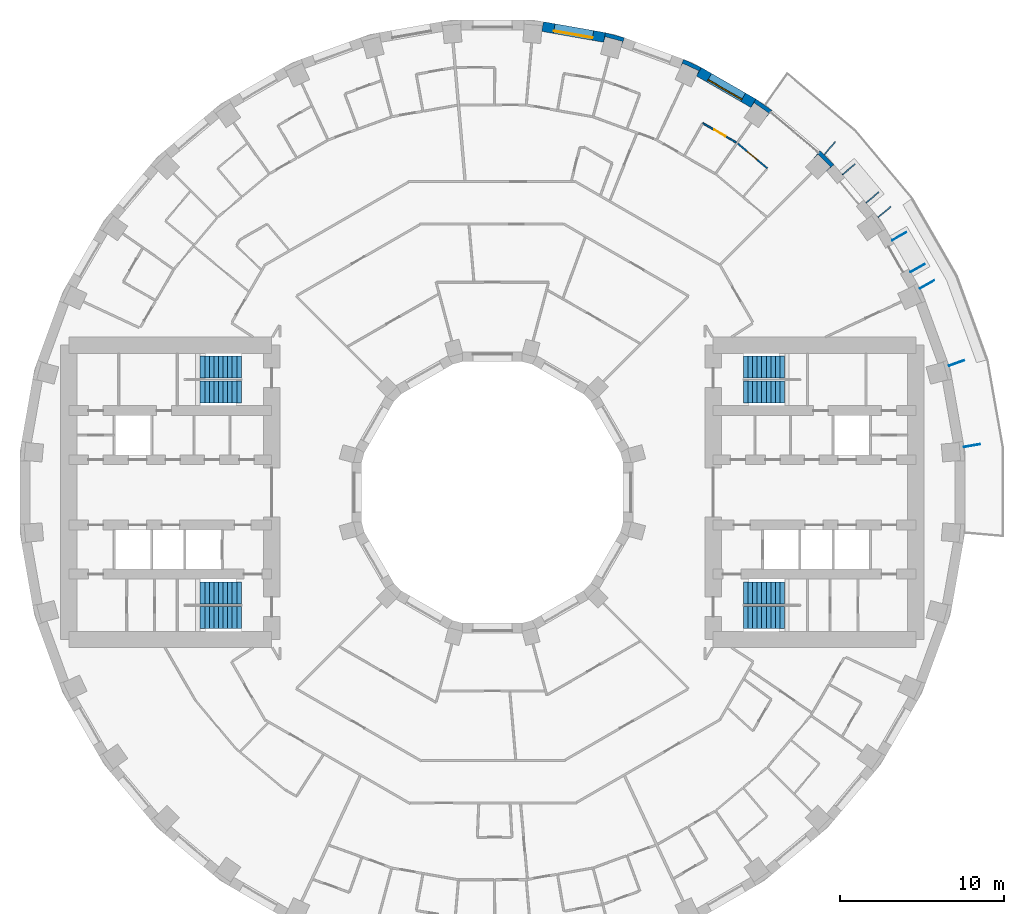
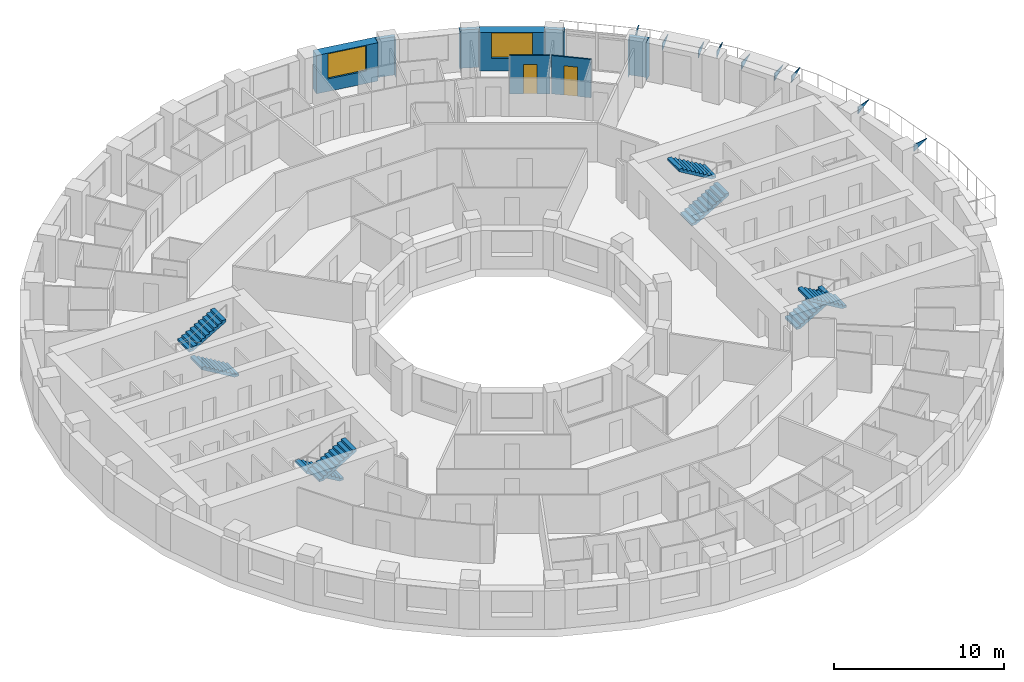
# One storey, part 14 of 15: 9 discrete accessories, 8 stair flights, 8 walls, 2 doors, 2 windows, 4 openings, 4 elements without a shape of their own.
"""IFC4 building model written with IfcOpenShell, lengths in metres."""

import ifcopenshell
import ifcopenshell.guid

model = None  # the IFC model being written
_history = None  # IfcOwnerHistory: only IFC2X3 demands one
_inside = {}  # id of a spatial element -> (the spatial element, [elements in it])
_under = {}  # id of a project, library or spatial element -> (it, [spatial elements below it])
_declared = {}  # id of a project -> (the project, [libraries it declares])
_typed = {}  # id of a type object -> (the type object, [elements of that type])
_made_of = {}  # id of a material, layer set ... -> (it, [elements and type objects made of it])


def new_model(schema):
    """Start an empty IFC model of exactly this schema.

    Asked for "IFC4X3", IfcOpenShell would pick the latest addendum, in which some entities
    have other attributes; the version numbers below select the first issue.
    IFC2X3 requires an IfcOwnerHistory on every rooted entity: one is made here for all.
    """
    global model, _history
    if schema == "IFC4X3":
        model = ifcopenshell.file(schema_version=(4, 3, 0, 0))
    else:
        model = ifcopenshell.file(schema=schema)
    _inside.clear()
    _under.clear()
    _declared.clear()
    _typed.clear()
    _made_of.clear()
    _history = None
    if model.schema == "IFC2X3":
        org = make("IfcOrganization", Name="unknown")
        user = make(
            "IfcPersonAndOrganization",
            ThePerson=make("IfcPerson", FamilyName="unknown"),
            TheOrganization=org,
        )
        app = make(
            "IfcApplication",
            ApplicationDeveloper=org,
            Version="unknown",
            ApplicationFullName="unknown",
            ApplicationIdentifier="unknown",
        )
        _history = make(
            "IfcOwnerHistory",
            OwningUser=user,
            OwningApplication=app,
            ChangeAction="ADDED",
            CreationDate=0,
        )
    return model


def make(cls, **values):
    """One entity of the class cls with the attributes given. An attribute that is None is left unset."""
    return model.create_entity(
        cls, **{name: value for name, value in values.items() if value is not None}
    )


def rooted(cls, **values):
    """An entity with a GlobalId (a new one), such as an element, a storey or a relation."""
    return make(cls, GlobalId=ifcopenshell.guid.new(), OwnerHistory=_history, **values)


def si_unit(unit_type, name, prefix=None):
    """IfcSIUnit, for example si_unit("LENGTHUNIT", "METRE", prefix="MILLI")."""
    return make("IfcSIUnit", UnitType=unit_type, Prefix=prefix, Name=name)


def assignment(units):
    """IfcUnitAssignment: the units of a project."""
    return None if units is None else make("IfcUnitAssignment", Units=units)


def point(xyz):
    """IfcCartesianPoint."""
    return None if xyz is None else make("IfcCartesianPoint", Coordinates=xyz)


def direction(xyz):
    """IfcDirection."""
    return None if xyz is None else make("IfcDirection", DirectionRatios=xyz)


def frame(location, z_axis=None, x_axis=None):
    """IfcAxis2Placement3D, a coordinate frame: its origin and axes. An axis left out is left unset."""
    return make(
        "IfcAxis2Placement3D",
        Location=point(location),
        Axis=direction(z_axis),
        RefDirection=direction(x_axis),
    )


def frame_2d(location, x_axis=None):
    """IfcAxis2Placement2D, a coordinate frame in the plane: its origin and x axis."""
    return make(
        "IfcAxis2Placement2D", Location=point(location), RefDirection=direction(x_axis)
    )


def origin():
    """The frame at (0, 0, 0) with its axes left unset."""
    return frame((0.0, 0.0, 0.0))


def place(relative_to, where):
    """IfcLocalPlacement: puts the frame where relative to a parent placement (None: the world)."""
    return make(
        "IfcLocalPlacement", PlacementRelTo=relative_to, RelativePlacement=where
    )


def context(
    kind, dimensions, precision=None, world=None, true_north=None, identifier=None
):
    """IfcGeometricRepresentationContext, for example the 3D "Model" context."""
    return make(
        "IfcGeometricRepresentationContext",
        ContextIdentifier=identifier,
        ContextType=kind,
        CoordinateSpaceDimension=dimensions,
        Precision=precision,
        WorldCoordinateSystem=world,
        TrueNorth=true_north,
    )


def subcontext(parent, identifier, kind, view, scale=None):
    """IfcGeometricRepresentationSubContext, for example "Body" below "Model"."""
    return make(
        "IfcGeometricRepresentationSubContext",
        ContextIdentifier=identifier,
        ContextType=kind,
        ParentContext=parent,
        TargetScale=scale,
        TargetView=view,
    )


def project(units=None, contexts=None):
    """IfcProject with its units and contexts."""
    return rooted(
        "IfcProject",
        Name="project",
        RepresentationContexts=contexts,
        UnitsInContext=assignment(units),
    )


def spatial(cls, under=None, at=None, **own):
    """A site, building, storey or space (cls), placed at a placement, below another one or the project."""
    s = rooted(cls, ObjectPlacement=at, **own)
    if under is not None:
        _under.setdefault(under.id(), (under, []))[1].append(s)
    return s


def polyline(points):
    """IfcPolyline through the points."""
    return make("IfcPolyline", Points=[point(p) for p in points])


def profile(cls, at=None, kind="AREA", **sizes):
    """A parametric profile (cls). Its sizes go by their IFC names, for example OverallWidth=200.0."""
    return make(cls, ProfileType=kind, Position=at, **sizes)


def rectangle(**sizes):
    """IfcRectangleProfileDef."""
    return profile("IfcRectangleProfileDef", **sizes)


def outline(outer, holes=None, kind="AREA"):
    """IfcArbitraryClosedProfileDef: a profile drawn as a closed curve; with holes, ...WithVoids."""
    if holes is None:
        return make("IfcArbitraryClosedProfileDef", ProfileType=kind, OuterCurve=outer)
    return make(
        "IfcArbitraryProfileDefWithVoids",
        ProfileType=kind,
        OuterCurve=outer,
        InnerCurves=holes,
    )


def extrude(swept, where, along, depth):
    """IfcExtrudedAreaSolid: the profile swept, set in the frame where, extruded along a direction by depth."""
    return make(
        "IfcExtrudedAreaSolid",
        SweptArea=swept,
        Position=where,
        ExtrudedDirection=direction(along),
        Depth=depth,
    )


def shape(context_of_items, identifier, shape_type, items):
    """IfcShapeRepresentation: the items that make up one representation, for example the "Body"."""
    return make(
        "IfcShapeRepresentation",
        ContextOfItems=context_of_items,
        RepresentationIdentifier=identifier,
        RepresentationType=shape_type,
        Items=items,
    )


def material(Name=None, Category=None):
    """IfcMaterial."""
    return make("IfcMaterial", Name=Name, Category=Category)


def layer(
    of_material, thickness, ventilated=None, Name=None, Category=None, Priority=None
):
    """IfcMaterialLayer: one layer of a wall or slab, of a material (None: an air gap)."""
    return make(
        "IfcMaterialLayer",
        Material=of_material,
        LayerThickness=thickness,
        IsVentilated=ventilated,
        Name=Name,
        Category=Category,
        Priority=Priority,
    )


def layer_set(layers, Name=None):
    """IfcMaterialLayerSet."""
    return make("IfcMaterialLayerSet", MaterialLayers=layers, LayerSetName=Name)


def made_of(thing, what):
    """Note that an element or type object is made of a material, layer set ...; save() writes the relation."""
    if what is not None:
        _made_of.setdefault(what.id(), (what, []))[1].append(thing)
    return thing


def type_object(cls, material=None, **own):
    """A type object (cls), such as IfcWallType, which elements share."""
    return made_of(rooted(cls, **own), material)


def element(
    cls,
    number,
    at=None,
    inside=None,
    cuts=None,
    type_object=None,
    material=None,
    context=None,
    identifier="Body",
    shape_type=None,
    held_by="IfcProductDefinitionShape",
    body=None,
    shapes=None,
    **own,
):
    """One element of the class cls, such as IfcWall. Its Tag is "e" and its number.

    at: its placement. inside: the storey or other place that contains it. cuts: it is an
    opening in that element (IfcRelVoidsElement). A single representation is given by context,
    identifier, shape_type and body (its items); several are given by shapes. held_by: the class
    of the entity that holds the representations. save() writes the other relations.
    """
    e = rooted(cls, Tag="e%d" % number, ObjectPlacement=at, **own)
    if body is not None:
        shapes = [shape(context, identifier, shape_type, body)]
    if shapes is not None:
        e.Representation = make(held_by, Representations=shapes)
    if inside is not None:
        _inside.setdefault(inside.id(), (inside, []))[1].append(e)
    if cuts is not None:
        rooted(
            "IfcRelVoidsElement", RelatingBuildingElement=cuts, RelatedOpeningElement=e
        )
    if type_object is not None:
        _typed.setdefault(type_object.id(), (type_object, []))[1].append(e)
    return made_of(e, material)


def fill(opening, filler):
    """IfcRelFillsElement: the door or window that sits in an opening."""
    return rooted(
        "IfcRelFillsElement",
        RelatingOpeningElement=opening,
        RelatedBuildingElement=filler,
    )


def aggregate(whole, parts):
    """IfcRelAggregates: a whole, such as a stair, and the parts it consists of."""
    return rooted("IfcRelAggregates", RelatingObject=whole, RelatedObjects=parts)


def save(model, path):
    """Write the relations noted so far, then the file.

    IfcRelAggregates (storeys below a building ...), IfcRelContainedInSpatialStructure (elements
    in a storey), IfcRelDefinesByType, IfcRelAssociatesMaterial and IfcRelDeclares: one each for
    every whole, place, type object, material and project.
    """
    for whole, parts in _under.values():
        aggregate(whole, parts)
    for where, things in _inside.values():
        rooted(
            "IfcRelContainedInSpatialStructure",
            RelatedElements=things,
            RelatingStructure=where,
        )
    for kind, things in _typed.values():
        rooted("IfcRelDefinesByType", RelatedObjects=things, RelatingType=kind)
    for what, things in _made_of.values():
        rooted("IfcRelAssociatesMaterial", RelatedObjects=things, RelatingMaterial=what)
    for by, libraries in _declared.values():
        rooted("IfcRelDeclares", RelatingContext=by, RelatedDefinitions=libraries)
    model.write(path)


model = new_model("IFC4")

# Units and contexts
model_context = context("Model", 3, precision=1e-05, world=origin(), true_north=direction((0.0, 1.0)))
body_context = subcontext(model_context, "Body", "Model", "MODEL_VIEW")
ifc_project = project(units=[si_unit("LENGTHUNIT", "METRE"), si_unit("AREAUNIT", "SQUARE_METRE"), si_unit("VOLUMEUNIT", "CUBIC_METRE"), si_unit("PLANEANGLEUNIT", "RADIAN"), si_unit("MASSUNIT", "GRAM", prefix="KILO")], contexts=[model_context])

# Site, building, storey
site_placement = place(None, origin())
site = spatial("IfcSite", under=ifc_project, at=site_placement, CompositionType="ELEMENT")
building_placement = place(site_placement, origin())
building = spatial("IfcBuilding", under=site, at=building_placement, Name="Saqina Gate Tower", CompositionType="ELEMENT")
storey_placement = place(building_placement, frame((0.0, 0.0, 59.300048828125)))
storey = spatial("IfcBuildingStorey", under=building, at=storey_placement, Name="L16", CompositionType="ELEMENT", Elevation=59.300048828125)

# Walls
ifc_material_1 = material(Name="Brick masonry (red)", Category="masonry")
wall_type_1 = type_object("IfcWallType", Name="BRICK PIER COPING RED", PredefinedType="SOLIDWALL", material=ifc_material_1)
wall_1_placement = place(storey_placement, origin())
element("IfcWall", 1, at=wall_1_placement, inside=storey, type_object=wall_type_1, Name="Pier cap L16 column 5", PredefinedType="SOLIDWALL", context=body_context, shape_type="SweptSolid", body=[
    extrude(outline(polyline([(20.04296875, 20.894775390625), (19.6572265625, 20.43505859375), (19.905029296875, 20.682861328125), (20.682861328125, 19.905029296875), (20.43505859375, 19.6572265625), (20.894775390625, 20.04296875), (20.04296875, 20.894775390625)])), origin(), (0.0, 0.0, 1.0), 2.75),
])
wall_2_placement = place(storey_placement, origin())
element("IfcWall", 2, at=wall_2_placement, inside=storey, type_object=wall_type_1, Name="Pier cap L16 column 6", PredefinedType="SOLIDWALL", context=body_context, shape_type="SweptSolid", body=[
    extrude(outline(polyline([(17.096923828125, 23.36669921875), (16.110107421875, 24.0576171875), (15.81005859375, 23.5380859375), (16.010986328125, 23.8251953125), (16.912109375, 23.194091796875), (16.711181640625, 22.9072265625), (17.096923828125, 23.36669921875)])), origin(), (0.0, 0.0, 1.0), 2.75),
])
wall_3_placement = place(storey_placement, origin())
element("IfcWall", 3, at=wall_3_placement, inside=storey, type_object=wall_type_1, Name="Pier cap L16 column 7", PredefinedType="SOLIDWALL", context=body_context, shape_type="SweptSolid", body=[
    extrude(outline(polyline([(11.687744140625, 26.48974609375), (11.482666015625, 25.92578125), (11.630615234375, 26.243408203125), (12.627685546875, 25.778564453125), (12.4794921875, 25.4609375), (12.779541015625, 25.980712890625), (11.687744140625, 26.48974609375)])), origin(), (0.0, 0.0, 1.0), 2.75),
])
wall_4_placement = place(storey_placement, origin())
element("IfcWall", 4, at=wall_4_placement, inside=storey, type_object=wall_type_1, Name="Pier cap L16 column 8", PredefinedType="SOLIDWALL", context=body_context, shape_type="SweptSolid", body=[
    extrude(outline(polyline([(6.910400390625, 28.11669921875), (6.80615234375, 27.52587890625), (6.896728515625, 27.864501953125), (7.95947265625, 27.57958984375), (7.86865234375, 27.2412109375), (8.073974609375, 27.80517578125), (6.910400390625, 28.11669921875)])), origin(), (0.0, 0.0, 1.0), 2.75),
])

# Wall, opening, window
ifc_material_2 = material(Name="Brick masonry (red)", Category="masonry")
ifc_layer_1 = layer(ifc_material_2, 0.60009765625)
ifc_layer_set_1 = layer_set([ifc_layer_1], Name="FW-BRICK-RED")
wall_type_2 = type_object("IfcWallType", Name="FW-BRICK-RED", PredefinedType="SOLIDWALL", material=ifc_layer_set_1)
wall_5_placement = place(storey_placement, frame((15.960205078125, 23.7978515625, 0.0), z_axis=(0.0, 0.0, 1.0), x_axis=(-0.86603124159, 0.499989888488, 0.0)))
wall_5 = element("IfcWall", 5, at=wall_5_placement, inside=storey, type_object=wall_type_2, Name="Facade wall L16 facet 6", PredefinedType="SOLIDWALL", context=body_context, shape_type="SweptSolid", body=[
    extrude(rectangle(XDim=3.845703125, YDim=0.60009765625, at=frame_2d((1.9228515625, 0.0))), origin(), (0.0, 0.0, 1.0), 2.75),
])
opening_1_placement = place(wall_5_placement, frame((0.722900390625, 0.0, 0.89990234375)))
opening_1 = element("IfcOpeningElement", 6, at=opening_1_placement, cuts=wall_5, Name="Opening G04-W01", PredefinedType="OPENING", context=body_context, shape_type="SweptSolid", body=[
    extrude(rectangle(XDim=2.39990234375, YDim=1.800048828125, at=frame_2d((1.199951171875, 0.89990234375))), frame((0.0, 0.31201171875, 0.0), z_axis=(0.0, -1.0, 0.0), x_axis=(1.0, 0.0, 0.0)), (0.0, 0.0, 1.0), 0.6240234375),
])
ifc_material_3 = material(Name="Aluminium glazing", Category="aluminium")
window_type = type_object("IfcWindowType", Name="WN-A", PartitioningType="SINGLE_PANEL", PredefinedType="WINDOW", material=ifc_material_3)
window_1_placement = place(opening_1_placement, origin())
window_1 = element("IfcWindow", 7, at=window_1_placement, inside=storey, type_object=window_type, Name="Window L16 facet 6", OverallHeight=1.800048828125, OverallWidth=2.39990234375, PartitioningType="SINGLE_PANEL", PredefinedType="WINDOW", context=body_context, shape_type="SweptSolid", body=[
    extrude(rectangle(XDim=2.39990234375, YDim=1.800048828125, at=frame_2d((1.199951171875, 0.89990234375))), frame((0.0, 0.179931640625, 0.0), z_axis=(0.0, -1.0, 0.0), x_axis=(1.0, 0.0, 0.0)), (0.0, 0.0, 1.0), 0.06005859375),
])
fill(opening_1, window_1)

wall_6_placement = place(storey_placement, frame((6.858154296875, 27.8212890625, 0.0), z_axis=(0.0, 0.0, 1.0), x_axis=(-0.984800809218, 0.173687553279, 0.0)))
wall_6 = element("IfcWall", 8, at=wall_6_placement, inside=storey, type_object=wall_type_2, Name="Facade wall L16 facet 8", PredefinedType="SOLIDWALL", context=body_context, shape_type="SweptSolid", body=[
    extrude(rectangle(XDim=3.845703125, YDim=0.60009765625, at=frame_2d((1.9228515625, 0.0))), origin(), (0.0, 0.0, 1.0), 2.75),
])
opening_2_placement = place(wall_6_placement, frame((0.722900390625, 0.0, 0.89990234375)))
opening_2 = element("IfcOpeningElement", 9, at=opening_2_placement, cuts=wall_6, Name="Opening G04-W03", PredefinedType="OPENING", context=body_context, shape_type="SweptSolid", body=[
    extrude(rectangle(XDim=2.39990234375, YDim=1.800048828125, at=frame_2d((1.199951171875, 0.89990234375))), frame((0.0, 0.31201171875, 0.0), z_axis=(0.0, -1.0, 0.0), x_axis=(1.0, 0.0, 0.0)), (0.0, 0.0, 1.0), 0.6240234375),
])
window_2_placement = place(opening_2_placement, origin())
window_2 = element("IfcWindow", 10, at=window_2_placement, inside=storey, type_object=window_type, Name="Window L16 facet 8", OverallHeight=1.800048828125, OverallWidth=2.39990234375, PartitioningType="SINGLE_PANEL", PredefinedType="WINDOW", context=body_context, shape_type="SweptSolid", body=[
    extrude(rectangle(XDim=2.39990234375, YDim=1.800048828125, at=frame_2d((1.199951171875, 0.89990234375))), frame((0.0, 0.179931640625, 0.0), z_axis=(0.0, -1.0, 0.0), x_axis=(1.0, 0.0, 0.0)), (0.0, 0.0, 1.0), 0.06005859375),
])
fill(opening_2, window_2)

# Wall, opening, door
ifc_material_4 = material(Name="Gypsum board on steel studs, 100 mm", Category="steel")
ifc_layer_2 = layer(ifc_material_4, 0.10009765625)
ifc_layer_set_2 = layer_set([ifc_layer_2], Name="PARTITION 100")
wall_type_3 = type_object("IfcWallType", Name="PARTITION 100", PredefinedType="PARTITIONING", material=ifc_layer_set_2)
wall_7_placement = place(storey_placement, frame((15.002197265625, 21.3388671875, 0.0), z_axis=(0.0, 0.0, 1.0), x_axis=(0.765995095449, -0.642846415365, 0.0)))
wall_7 = element("IfcWall", 11, at=wall_7_placement, inside=storey, type_object=wall_type_3, Name="PARTITION PW3-31", PredefinedType="PARTITIONING", context=body_context, shape_type="SweptSolid", body=[
    extrude(rectangle(XDim=2.369140625, YDim=0.10009765625, at=frame_2d((1.1845703125, 0.0))), origin(), (0.0, 0.0, 1.0), 2.75),
])
opening_3_placement = place(wall_7_placement, frame((0.759521484375, 0.0, 0.0)))
opening_3 = element("IfcOpeningElement", 12, at=opening_3_placement, cuts=wall_7, Name="Opening G04-D04", PredefinedType="OPENING", context=body_context, shape_type="SweptSolid", body=[
    extrude(rectangle(XDim=0.800048828125, YDim=2.10009765625, at=frame_2d((0.39990234375, 1.050048828125))), frame((0.0, 0.06201171875, 0.0), z_axis=(0.0, -1.0, 0.0), x_axis=(1.0, 0.0, 0.0)), (0.0, 0.0, 1.0), 0.1240234375),
])
ifc_material_5 = material(Name="Timber door leaf, 800 mm", Category="wood")
door_type = type_object("IfcDoorType", Name="DOOR 800 TIMBER", OperationType="SINGLE_SWING_LEFT", PredefinedType="DOOR", material=ifc_material_5)
door_1_placement = place(opening_3_placement, origin())
door_1 = element("IfcDoor", 13, at=door_1_placement, inside=storey, type_object=door_type, Name="DOOR G04-D04", OperationType="SINGLE_SWING_LEFT", OverallHeight=2.10009765625, OverallWidth=0.800048828125, PredefinedType="DOOR", context=body_context, shape_type="SweptSolid", body=[
    extrude(rectangle(XDim=0.800048828125, YDim=2.10009765625, at=frame_2d((0.39990234375, 1.050048828125))), frame((0.0, 0.02490234375, 0.0), z_axis=(0.0, -1.0, 0.0), x_axis=(1.0, 0.0, 0.0)), (0.0, 0.0, 1.0), 0.050048828125),
])
fill(opening_3, door_1)

wall_8_placement = place(storey_placement, frame((12.868896484375, 22.580078125, 0.0), z_axis=(0.0, 0.0, 1.0), x_axis=(0.866116947413, -0.499841408252, 0.0)))
wall_8 = element("IfcWall", 14, at=wall_8_placement, inside=storey, type_object=wall_type_3, Name="PARTITION PW3-44", PredefinedType="PARTITIONING", context=body_context, shape_type="SweptSolid", body=[
    extrude(rectangle(XDim=2.368896484375, YDim=0.10009765625, at=frame_2d((1.1845703125, 0.0))), origin(), (0.0, 0.0, 1.0), 2.75),
])
opening_4_placement = place(wall_8_placement, frame((0.809326171875, 0.0, 0.0)))
opening_4 = element("IfcOpeningElement", 15, at=opening_4_placement, cuts=wall_8, Name="Opening G04-D06", PredefinedType="OPENING", context=body_context, shape_type="SweptSolid", body=[
    extrude(rectangle(XDim=0.800048828125, YDim=2.10009765625, at=frame_2d((0.39990234375, 1.050048828125))), frame((0.0, 0.06201171875, 0.0), z_axis=(0.0, -1.0, 0.0), x_axis=(1.0, 0.0, 0.0)), (0.0, 0.0, 1.0), 0.1240234375),
])
door_2_placement = place(opening_4_placement, origin())
door_2 = element("IfcDoor", 16, at=door_2_placement, inside=storey, type_object=door_type, Name="DOOR G04-D06", OperationType="SINGLE_SWING_RIGHT", OverallHeight=2.10009765625, OverallWidth=0.800048828125, PredefinedType="DOOR", context=body_context, shape_type="SweptSolid", body=[
    extrude(rectangle(XDim=0.800048828125, YDim=2.10009765625, at=frame_2d((0.39990234375, 1.050048828125))), frame((0.0, 0.02490234375, 0.0), z_axis=(0.0, -1.0, 0.0), x_axis=(1.0, 0.0, 0.0)), (0.0, 0.0, 1.0), 0.050048828125),
])
fill(opening_4, door_2)

# Stair, stair flights
ifc_material_6 = material(Name="Concrete C40/50", Category="concrete")
stair_type = type_object("IfcStairType", Name="EXIT STAIR", PredefinedType="HALF_TURN_STAIR", material=ifc_material_6)
stair_1_placement = place(storey_placement, origin())
stair_1 = element("IfcStair", 17, at=stair_1_placement, inside=storey, type_object=stair_type, Name="EXIT STAIR 1", PredefinedType="HALF_TURN_STAIR")
ifc_material_7 = material(Name="Concrete C40/50", Category="concrete")
stair_flight_type = type_object("IfcStairFlightType", Name="EXIT STAIR FLIGHT", PredefinedType="STRAIGHT", material=ifc_material_7)
stair_flight_1_placement = place(storey_placement, frame((15.35009765625, 6.1416015625, 0.0), z_axis=(0.0, 0.0, 1.0), x_axis=(1.0, 0.0, 0.0)))
stair_flight_1 = element("IfcStairFlight", 18, at=stair_flight_1_placement, type_object=stair_flight_type, Name="EXIT STAIR 1 FLIGHT 1", NumberOfRisers=10, NumberOfTreads=9, PredefinedType="STRAIGHT", RiserHeight=0.165, TreadLength=0.28, context=body_context, shape_type="SweptSolid", body=[
    extrude(outline(polyline([(0.0, 0.0), (0.0, 0.1650390625), (0.280029296875, 0.1650390625), (0.280029296875, 0.330078125), (0.56005859375, 0.330078125), (0.56005859375, 0.4951171875), (0.840087890625, 0.4951171875), (0.840087890625, 0.659912109375), (1.1201171875, 0.659912109375), (1.1201171875, 0.824951171875), (1.39990234375, 0.824951171875), (1.39990234375, 0.989990234375), (1.679931640625, 0.989990234375), (1.679931640625, 1.155029296875), (1.9599609375, 1.155029296875), (1.9599609375, 1.320068359375), (2.239990234375, 1.320068359375), (2.239990234375, 1.485107421875), (2.52001953125, 1.485107421875), (2.52001953125, 1.64990234375), (2.52001953125, 1.31103515625), (0.295166015625, 0.0), (0.0, 0.0)])), frame((0.0, 0.675048828125, 0.0), z_axis=(0.0, -1.0, 0.0), x_axis=(1.0, 0.0, 0.0)), (0.0, 0.0, 1.0), 1.35009765625),
])
stair_flight_2_placement = place(storey_placement, frame((17.8701171875, 7.658447265625, 1.64990234375), z_axis=(0.0, 0.0, 1.0), x_axis=(-1.0, 0.0, 0.0)))
stair_flight_2 = element("IfcStairFlight", 19, at=stair_flight_2_placement, type_object=stair_flight_type, Name="EXIT STAIR 1 FLIGHT 2", NumberOfRisers=10, NumberOfTreads=9, PredefinedType="STRAIGHT", RiserHeight=0.165, TreadLength=0.28, context=body_context, shape_type="SweptSolid", body=[
    extrude(outline(polyline([(0.0, 0.0), (0.0, 0.1650390625), (0.280029296875, 0.1650390625), (0.280029296875, 0.330078125), (0.56005859375, 0.330078125), (0.56005859375, 0.4951171875), (0.840087890625, 0.4951171875), (0.840087890625, 0.659912109375), (1.1201171875, 0.659912109375), (1.1201171875, 0.824951171875), (1.39990234375, 0.824951171875), (1.39990234375, 0.989990234375), (1.679931640625, 0.989990234375), (1.679931640625, 1.155029296875), (1.9599609375, 1.155029296875), (1.9599609375, 1.320068359375), (2.239990234375, 1.320068359375), (2.239990234375, 1.485107421875), (2.52001953125, 1.485107421875), (2.52001953125, 1.64990234375), (2.52001953125, 1.31103515625), (0.295166015625, 0.0), (0.0, 0.0)])), frame((0.0, 0.675048828125, 0.0), z_axis=(0.0, -1.0, 0.0), x_axis=(1.0, 0.0, 0.0)), (0.0, 0.0, 1.0), 1.35009765625),
])
aggregate(stair_1, [stair_flight_1, stair_flight_2])

stair_2_placement = place(storey_placement, origin())
stair_2 = element("IfcStair", 20, at=stair_2_placement, inside=storey, type_object=stair_type, Name="EXIT STAIR 2", PredefinedType="HALF_TURN_STAIR")
stair_flight_3_placement = place(storey_placement, frame((15.35009765625, -6.1416015625, 0.0), z_axis=(0.0, 0.0, 1.0), x_axis=(1.0, 0.0, 0.0)))
stair_flight_3 = element("IfcStairFlight", 21, at=stair_flight_3_placement, type_object=stair_flight_type, Name="EXIT STAIR 2 FLIGHT 1", NumberOfRisers=10, NumberOfTreads=9, PredefinedType="STRAIGHT", RiserHeight=0.165, TreadLength=0.28, context=body_context, shape_type="SweptSolid", body=[
    extrude(outline(polyline([(0.0, 0.0), (0.0, 0.1650390625), (0.280029296875, 0.1650390625), (0.280029296875, 0.330078125), (0.56005859375, 0.330078125), (0.56005859375, 0.4951171875), (0.840087890625, 0.4951171875), (0.840087890625, 0.659912109375), (1.1201171875, 0.659912109375), (1.1201171875, 0.824951171875), (1.39990234375, 0.824951171875), (1.39990234375, 0.989990234375), (1.679931640625, 0.989990234375), (1.679931640625, 1.155029296875), (1.9599609375, 1.155029296875), (1.9599609375, 1.320068359375), (2.239990234375, 1.320068359375), (2.239990234375, 1.485107421875), (2.52001953125, 1.485107421875), (2.52001953125, 1.64990234375), (2.52001953125, 1.31103515625), (0.295166015625, 0.0), (0.0, 0.0)])), frame((0.0, 0.675048828125, 0.0), z_axis=(0.0, -1.0, 0.0), x_axis=(1.0, 0.0, 0.0)), (0.0, 0.0, 1.0), 1.35009765625),
])
stair_flight_4_placement = place(storey_placement, frame((17.8701171875, -7.658447265625, 1.64990234375), z_axis=(0.0, 0.0, 1.0), x_axis=(-1.0, 0.0, 0.0)))
stair_flight_4 = element("IfcStairFlight", 22, at=stair_flight_4_placement, type_object=stair_flight_type, Name="EXIT STAIR 2 FLIGHT 2", NumberOfRisers=10, NumberOfTreads=9, PredefinedType="STRAIGHT", RiserHeight=0.165, TreadLength=0.28, context=body_context, shape_type="SweptSolid", body=[
    extrude(outline(polyline([(0.0, 0.0), (0.0, 0.1650390625), (0.280029296875, 0.1650390625), (0.280029296875, 0.330078125), (0.56005859375, 0.330078125), (0.56005859375, 0.4951171875), (0.840087890625, 0.4951171875), (0.840087890625, 0.659912109375), (1.1201171875, 0.659912109375), (1.1201171875, 0.824951171875), (1.39990234375, 0.824951171875), (1.39990234375, 0.989990234375), (1.679931640625, 0.989990234375), (1.679931640625, 1.155029296875), (1.9599609375, 1.155029296875), (1.9599609375, 1.320068359375), (2.239990234375, 1.320068359375), (2.239990234375, 1.485107421875), (2.52001953125, 1.485107421875), (2.52001953125, 1.64990234375), (2.52001953125, 1.31103515625), (0.295166015625, 0.0), (0.0, 0.0)])), frame((0.0, 0.675048828125, 0.0), z_axis=(0.0, -1.0, 0.0), x_axis=(1.0, 0.0, 0.0)), (0.0, 0.0, 1.0), 1.35009765625),
])
aggregate(stair_2, [stair_flight_3, stair_flight_4])

stair_3_placement = place(storey_placement, origin())
stair_3 = element("IfcStair", 23, at=stair_3_placement, inside=storey, type_object=stair_type, Name="EXIT STAIR 3", PredefinedType="HALF_TURN_STAIR")
stair_flight_5_placement = place(storey_placement, frame((-15.35009765625, 6.1416015625, 0.0), z_axis=(0.0, 0.0, 1.0), x_axis=(-1.0, 0.0, 0.0)))
stair_flight_5 = element("IfcStairFlight", 24, at=stair_flight_5_placement, type_object=stair_flight_type, Name="EXIT STAIR 3 FLIGHT 1", NumberOfRisers=10, NumberOfTreads=9, PredefinedType="STRAIGHT", RiserHeight=0.165, TreadLength=0.28, context=body_context, shape_type="SweptSolid", body=[
    extrude(outline(polyline([(0.0, 0.0), (0.0, 0.1650390625), (0.280029296875, 0.1650390625), (0.280029296875, 0.330078125), (0.56005859375, 0.330078125), (0.56005859375, 0.4951171875), (0.840087890625, 0.4951171875), (0.840087890625, 0.659912109375), (1.1201171875, 0.659912109375), (1.1201171875, 0.824951171875), (1.39990234375, 0.824951171875), (1.39990234375, 0.989990234375), (1.679931640625, 0.989990234375), (1.679931640625, 1.155029296875), (1.9599609375, 1.155029296875), (1.9599609375, 1.320068359375), (2.239990234375, 1.320068359375), (2.239990234375, 1.485107421875), (2.52001953125, 1.485107421875), (2.52001953125, 1.64990234375), (2.52001953125, 1.31103515625), (0.295166015625, 0.0), (0.0, 0.0)])), frame((0.0, 0.675048828125, 0.0), z_axis=(0.0, -1.0, 0.0), x_axis=(1.0, 0.0, 0.0)), (0.0, 0.0, 1.0), 1.35009765625),
])
stair_flight_6_placement = place(storey_placement, frame((-17.8701171875, 7.658447265625, 1.64990234375), z_axis=(0.0, 0.0, 1.0), x_axis=(1.0, 0.0, 0.0)))
stair_flight_6 = element("IfcStairFlight", 25, at=stair_flight_6_placement, type_object=stair_flight_type, Name="EXIT STAIR 3 FLIGHT 2", NumberOfRisers=10, NumberOfTreads=9, PredefinedType="STRAIGHT", RiserHeight=0.165, TreadLength=0.28, context=body_context, shape_type="SweptSolid", body=[
    extrude(outline(polyline([(0.0, 0.0), (0.0, 0.1650390625), (0.280029296875, 0.1650390625), (0.280029296875, 0.330078125), (0.56005859375, 0.330078125), (0.56005859375, 0.4951171875), (0.840087890625, 0.4951171875), (0.840087890625, 0.659912109375), (1.1201171875, 0.659912109375), (1.1201171875, 0.824951171875), (1.39990234375, 0.824951171875), (1.39990234375, 0.989990234375), (1.679931640625, 0.989990234375), (1.679931640625, 1.155029296875), (1.9599609375, 1.155029296875), (1.9599609375, 1.320068359375), (2.239990234375, 1.320068359375), (2.239990234375, 1.485107421875), (2.52001953125, 1.485107421875), (2.52001953125, 1.64990234375), (2.52001953125, 1.31103515625), (0.295166015625, 0.0), (0.0, 0.0)])), frame((0.0, 0.675048828125, 0.0), z_axis=(0.0, -1.0, 0.0), x_axis=(1.0, 0.0, 0.0)), (0.0, 0.0, 1.0), 1.35009765625),
])
aggregate(stair_3, [stair_flight_5, stair_flight_6])

stair_4_placement = place(storey_placement, origin())
stair_4 = element("IfcStair", 26, at=stair_4_placement, inside=storey, type_object=stair_type, Name="EXIT STAIR 4", PredefinedType="HALF_TURN_STAIR")
stair_flight_7_placement = place(storey_placement, frame((-15.35009765625, -6.1416015625, 0.0), z_axis=(0.0, 0.0, 1.0), x_axis=(-1.0, 0.0, 0.0)))
stair_flight_7 = element("IfcStairFlight", 27, at=stair_flight_7_placement, type_object=stair_flight_type, Name="EXIT STAIR 4 FLIGHT 1", NumberOfRisers=10, NumberOfTreads=9, PredefinedType="STRAIGHT", RiserHeight=0.165, TreadLength=0.28, context=body_context, shape_type="SweptSolid", body=[
    extrude(outline(polyline([(0.0, 0.0), (0.0, 0.1650390625), (0.280029296875, 0.1650390625), (0.280029296875, 0.330078125), (0.56005859375, 0.330078125), (0.56005859375, 0.4951171875), (0.840087890625, 0.4951171875), (0.840087890625, 0.659912109375), (1.1201171875, 0.659912109375), (1.1201171875, 0.824951171875), (1.39990234375, 0.824951171875), (1.39990234375, 0.989990234375), (1.679931640625, 0.989990234375), (1.679931640625, 1.155029296875), (1.9599609375, 1.155029296875), (1.9599609375, 1.320068359375), (2.239990234375, 1.320068359375), (2.239990234375, 1.485107421875), (2.52001953125, 1.485107421875), (2.52001953125, 1.64990234375), (2.52001953125, 1.31103515625), (0.295166015625, 0.0), (0.0, 0.0)])), frame((0.0, 0.675048828125, 0.0), z_axis=(0.0, -1.0, 0.0), x_axis=(1.0, 0.0, 0.0)), (0.0, 0.0, 1.0), 1.35009765625),
])
stair_flight_8_placement = place(storey_placement, frame((-17.8701171875, -7.658447265625, 1.64990234375), z_axis=(0.0, 0.0, 1.0), x_axis=(1.0, 0.0, 0.0)))
stair_flight_8 = element("IfcStairFlight", 28, at=stair_flight_8_placement, type_object=stair_flight_type, Name="EXIT STAIR 4 FLIGHT 2", NumberOfRisers=10, NumberOfTreads=9, PredefinedType="STRAIGHT", RiserHeight=0.165, TreadLength=0.28, context=body_context, shape_type="SweptSolid", body=[
    extrude(outline(polyline([(0.0, 0.0), (0.0, 0.1650390625), (0.280029296875, 0.1650390625), (0.280029296875, 0.330078125), (0.56005859375, 0.330078125), (0.56005859375, 0.4951171875), (0.840087890625, 0.4951171875), (0.840087890625, 0.659912109375), (1.1201171875, 0.659912109375), (1.1201171875, 0.824951171875), (1.39990234375, 0.824951171875), (1.39990234375, 0.989990234375), (1.679931640625, 0.989990234375), (1.679931640625, 1.155029296875), (1.9599609375, 1.155029296875), (1.9599609375, 1.320068359375), (2.239990234375, 1.320068359375), (2.239990234375, 1.485107421875), (2.52001953125, 1.485107421875), (2.52001953125, 1.64990234375), (2.52001953125, 1.31103515625), (0.295166015625, 0.0), (0.0, 0.0)])), frame((0.0, 0.675048828125, 0.0), z_axis=(0.0, -1.0, 0.0), x_axis=(1.0, 0.0, 0.0)), (0.0, 0.0, 1.0), 1.35009765625),
])
aggregate(stair_4, [stair_flight_7, stair_flight_8])

# Discrete accessories
ifc_material_8 = material(Name="Galvanised steel", Category="steel")
ifc_layer_3 = layer(ifc_material_8, 0.050048828125)
ifc_layer_set_3 = layer_set([ifc_layer_3], Name="BR-AWNING")
discrete_accessory_type_1 = type_object("IfcDiscreteAccessoryType", Name="BR-AWNING", PredefinedType="BRACKET", material=ifc_layer_set_3)
for number, where, z_axis, x_axis, name in (
    (29, (25.568115234375, 13.493896484375, 1.974853515625), (-0.50002537861, 0.866010750942, 0.0), (0.0, 0.0, 1.0), "Awning bracket L16 facet 3"),
    (30, (24.4453125, 15.43896484375, 1.974853515625), (-0.50002537861, 0.866010750942, 0.0), (0.0, 0.0, 1.0), "Awning bracket L16 facet 3"),
):
    element("IfcDiscreteAccessory", number, at=place(storey_placement, frame(where, z_axis=z_axis, x_axis=x_axis)), inside=storey, type_object=discrete_accessory_type_1, Name=name, PredefinedType="BRACKET", context=body_context, shape_type="SweptSolid", body=[
        extrude(outline(polyline([(0.0, 0.0), (0.550048828125, 0.0), (0.550048828125, 0.9999492453569568), (0.0, 0.0)])), origin(), (0.0, 0.0, -1.0), 0.050048828125),
    ])
for number, where, z_axis, x_axis, name in (
    (31, (22.83642578125, 17.728759765625, 1.974853515625), (-0.64277405138, 0.766055819685, 0.0), (0.0, 0.0, 1.0), "Awning bracket L16 facet 4"),
    (32, (21.392822265625, 19.44921875, 1.974853515625), (-0.64277405138, 0.766055819685, 0.0), (0.0, 0.0, 1.0), "Awning bracket L16 facet 4"),
):
    element("IfcDiscreteAccessory", number, at=place(storey_placement, frame(where, z_axis=z_axis, x_axis=x_axis)), inside=storey, type_object=discrete_accessory_type_1, Name=name, PredefinedType="BRACKET", context=body_context, shape_type="SweptSolid", body=[
        extrude(outline(polyline([(0.0, 0.0), (0.550048828125, 0.0), (0.550048828125, 1.0000750096322273), (0.0, 0.0)])), origin(), (0.0, 0.0, -1.0), 0.050048828125),
    ])
ifc_material_9 = material(Name="Galvanised steel", Category="steel")
ifc_layer_4 = layer(ifc_material_9, 0.050048828125)
ifc_layer_set_4 = layer_set([ifc_layer_4], Name="BR-GUSSET")
discrete_accessory_type_2 = type_object("IfcDiscreteAccessoryType", Name="BR-GUSSET", PredefinedType="BRACKET", material=ifc_layer_set_4)
discrete_accessory_1_placement = place(storey_placement, frame((28.841796875, 2.79833984375, 2.25), z_axis=(-0.173576426815, 0.984820401928, 0.0), x_axis=(0.0, 0.0, 1.0)))
element("IfcDiscreteAccessory", 33, at=discrete_accessory_1_placement, inside=storey, type_object=discrete_accessory_type_2, Name="Terrace slab bracket L17 1", PredefinedType="BRACKET", context=body_context, shape_type="SweptSolid", body=[
    extrude(outline(polyline([(0.0, 0.0), (0.5, 0.0), (0.5, 1.000043540245132), (0.0, 0.0)])), origin(), (0.0, 0.0, -1.0), 0.050048828125),
])
discrete_accessory_2_placement = place(storey_placement, frame((27.917724609375, 7.76416015625, 2.25), z_axis=(-0.342037080957, 0.939686455819, 0.0), x_axis=(0.0, 0.0, 1.0)))
element("IfcDiscreteAccessory", 34, at=discrete_accessory_2_placement, inside=storey, type_object=discrete_accessory_type_2, Name="Terrace slab bracket L17 2", PredefinedType="BRACKET", context=body_context, shape_type="SweptSolid", body=[
    extrude(outline(polyline([(0.0, 0.0), (0.5, 0.0), (0.5, 1.000011503630275), (0.0, 0.0)])), origin(), (0.0, 0.0, -1.0), 0.050048828125),
])
discrete_accessory_3_placement = place(storey_placement, frame((26.1455078125, 12.494140625, 2.25), z_axis=(-0.50002537861, 0.866010750942, 0.0), x_axis=(0.0, 0.0, 1.0)))
element("IfcDiscreteAccessory", 35, at=discrete_accessory_3_placement, inside=storey, type_object=discrete_accessory_type_2, Name="Terrace slab bracket L17 3", PredefinedType="BRACKET", context=body_context, shape_type="SweptSolid", body=[
    extrude(outline(polyline([(0.0, 0.0), (0.5, 0.0), (0.5, 0.9999492453569568), (0.0, 0.0)])), origin(), (0.0, 0.0, -1.0), 0.050048828125),
])
for number, where, z_axis, x_axis, name in (
    (36, (23.57861328125, 16.844482421875, 2.25), (-0.64277405138, 0.766055819685, 0.0), (0.0, 0.0, 1.0), "Terrace slab bracket L17 4"),
    (37, (20.29541015625, 20.682861328125, 2.25), (-0.766055819685, 0.64277405138, 0.0), (0.0, 0.0, 1.0), "Terrace slab bracket L17 5"),
):
    element("IfcDiscreteAccessory", number, at=place(storey_placement, frame(where, z_axis=z_axis, x_axis=x_axis)), inside=storey, type_object=discrete_accessory_type_2, Name=name, PredefinedType="BRACKET", context=body_context, shape_type="SweptSolid", body=[
        extrude(outline(polyline([(0.0, 0.0), (0.5, 0.0), (0.5, 1.0000750096322275), (0.0, 0.0)])), origin(), (0.0, 0.0, -1.0), 0.050048828125),
    ])

save(model, "model.ifc")
